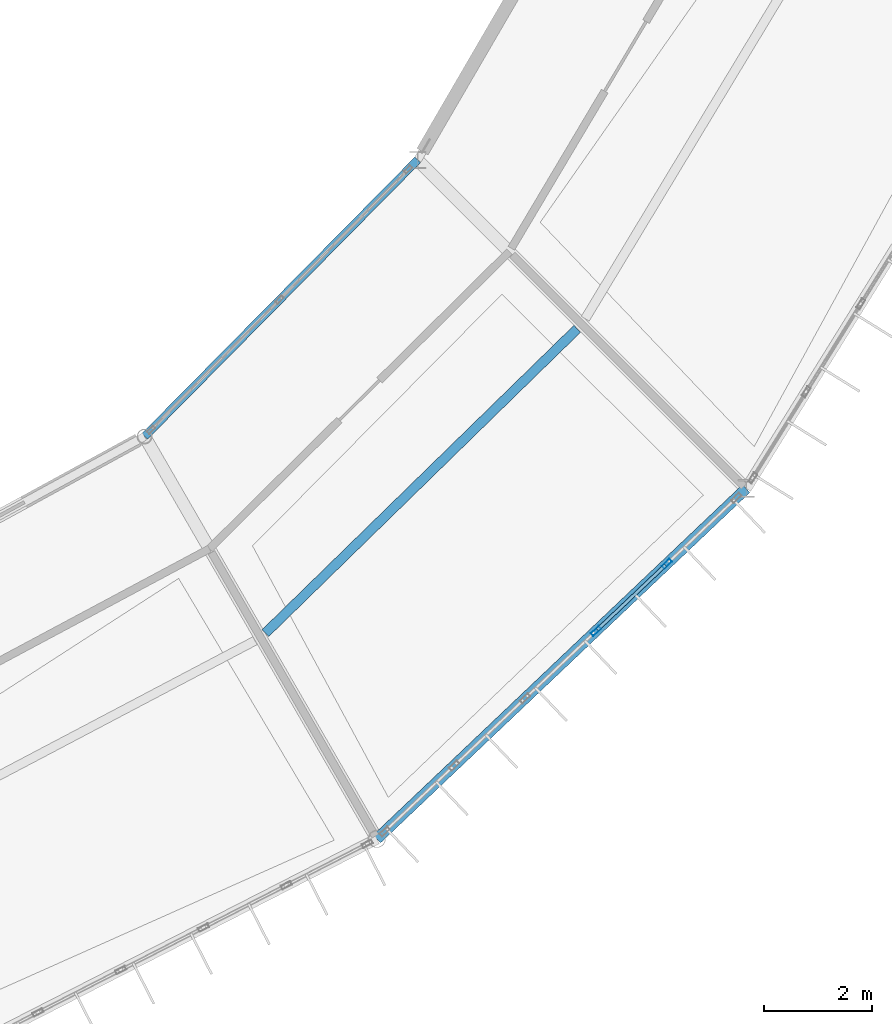
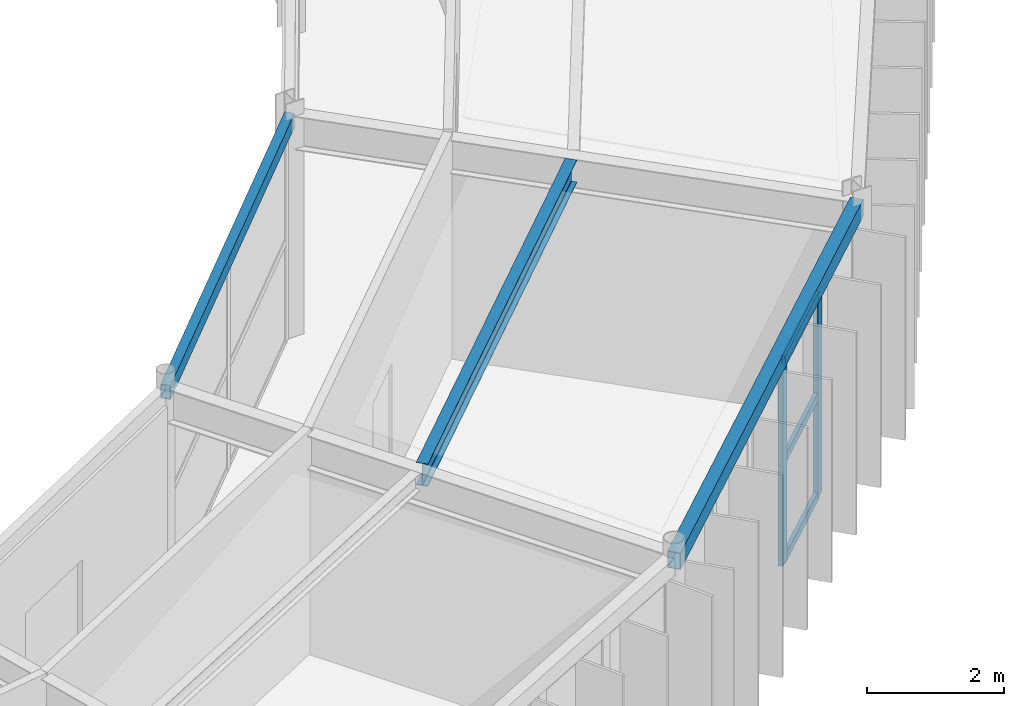
# One storey, part 51 of 147: 5 members, 3 beams, 1 element without a shape of its own.
"""IFC4 building model written with IfcOpenShell, lengths in metres."""

from ifc_helpers import new_model, si_unit, direction, frame, origin, origin_2d, place, context, subcontext, project, spatial, hollow_rectangle, i_section, extrude, material, material_profile, profile_set, type_object, element, aggregate, save


model = new_model("IFC4")

# Units and contexts
model_context = context("Model", 3, precision=1e-05, world=origin(), true_north=direction((0.0, 1.0)))
body_context = subcontext(model_context, "Body", "Model", "MODEL_VIEW")
ifc_project = project(units=[si_unit("LENGTHUNIT", "METRE"), si_unit("AREAUNIT", "SQUARE_METRE"), si_unit("VOLUMEUNIT", "CUBIC_METRE"), si_unit("PLANEANGLEUNIT", "RADIAN"), si_unit("MASSUNIT", "GRAM", prefix="KILO")], contexts=[model_context])

# Site, building, storey
site_placement = place(None, origin())
site = spatial("IfcSite", under=ifc_project, at=site_placement, CompositionType="ELEMENT")
building_placement = place(site_placement, origin())
building = spatial("IfcBuilding", under=site, at=building_placement, Name="Karori Crest Natural Sciences Institute", CompositionType="ELEMENT")
storey_placement = place(building_placement, frame((0.0, 0.0, 9.10009765625)))
storey = spatial("IfcBuildingStorey", under=building, at=storey_placement, Name="L02", CompositionType="ELEMENT", Elevation=9.10009765625)

# Beams
ifc_material_1 = material(Name="Hollow structural steel AS/NZS 1163 Grade C350", Category="steel")
ifc_material_profile_1 = material_profile(ifc_material_1, hollow_rectangle(XDim=0.199951171875, YDim=0.300048828125, WallThickness=0.010009765625, at=origin_2d()), Name="RHS300x200x10")
ifc_profile_set_1 = profile_set([ifc_material_profile_1], Name="Hollow structural steel AS/NZS 1163 Grade C350")
beam_type_1 = type_object("IfcBeamType", Name="BT-15", PredefinedType="SPANDREL", material=ifc_profile_set_1)
beam_1_placement = place(storey_placement, frame((82.89990234375, 14.566162109375, 3.789794921875), z_axis=(0.725481282589, 0.688241896874, 0.0), x_axis=(-0.688241896874, 0.725481282589, 0.0)))
element("IfcBeam", 1, at=beam_1_placement, inside=storey, type_object=beam_type_1, Name="Beam B-0346", PredefinedType="SPANDREL", context=body_context, shape_type="SweptSolid", body=[
    extrude(hollow_rectangle(XDim=0.199951171875, YDim=0.300048828125, WallThickness=0.010009765625, at=origin_2d()), origin(), (0.0, 0.0, 1.0), 9.4208984375),
])
ifc_material_profile_2 = material_profile(ifc_material_1, hollow_rectangle(XDim=0.14990234375, YDim=0.25, WallThickness=0.009033203125, at=origin_2d()), Name="RHS250x150x9")
ifc_profile_set_2 = profile_set([ifc_material_profile_2], Name="Hollow structural steel AS/NZS 1163 Grade C350")
beam_type_2 = type_object("IfcBeamType", Name="BT-16", PredefinedType="SPANDREL", material=ifc_profile_set_2)
beam_2_placement = place(storey_placement, frame((78.60009765625, 22.013916015625, 3.789794921875), z_axis=(0.702645672149, 0.711539921164, 0.0), x_axis=(-0.711539921164, 0.702645672149, 0.0)))
element("IfcBeam", 2, at=beam_2_placement, inside=storey, type_object=beam_type_2, Name="Beam B-0347", PredefinedType="SPANDREL", context=body_context, shape_type="SweptSolid", body=[
    extrude(hollow_rectangle(XDim=0.14990234375, YDim=0.25, WallThickness=0.009033203125, at=origin_2d()), origin(), (0.0, 0.0, 1.0), 7.191650390625),
])
ifc_material_2 = material(Name="Structural steel AS/NZS 3679.1 Grade 350", Category="steel")
ifc_material_profile_3 = material_profile(ifc_material_2, i_section(OverallWidth=0.177978515625, OverallDepth=0.403076171875, WebThickness=0.007568359375, FlangeThickness=0.010986328125, FilletRadius=0.010986328125, at=origin_2d()), Name="410UB53.7")
ifc_profile_set_3 = profile_set([ifc_material_profile_3], Name="Structural steel AS/NZS 3679.1 Grade 350")
beam_type_3 = type_object("IfcBeamType", Name="BT-29", PredefinedType="BEAM", material=ifc_profile_set_3)
beam_3_placement = place(storey_placement, frame((80.8359375, 18.373779296875, 3.73828125), z_axis=(0.715681193625, 0.698427110794, 0.0), x_axis=(-0.698427110794, 0.715681193625, 0.0)))
element("IfcBeam", 3, at=beam_3_placement, inside=storey, type_object=beam_type_3, Name="Beam B-0349", PredefinedType="BEAM", context=body_context, shape_type="SweptSolid", body=[
    extrude(i_section(OverallWidth=0.177978515625, OverallDepth=0.403076171875, WebThickness=0.007568359375, FlangeThickness=0.010986328125, FilletRadius=0.010986328125, at=origin_2d()), origin(), (0.0, 0.0, 1.0), 8.0654296875),
])

# Curtain wall, members
ifc_material_3 = material(Name="Anodised architectural aluminium 6063-T6", Category="aluminium")
curtain_wall_type = type_object("IfcCurtainWallType", Name="CWT-01", PredefinedType="NOTDEFINED", material=ifc_material_3)
curtain_wall_placement = place(storey_placement, origin())
curtain_wall = element("IfcCurtainWall", 4, at=curtain_wall_placement, inside=storey, type_object=curtain_wall_type, Name="Curtain wall CW-0094", PredefinedType="NOTDEFINED")
ifc_material_profile_4 = material_profile(ifc_material_3, hollow_rectangle(XDim=0.074951171875, YDim=0.199951171875, WallThickness=0.0048828125, at=origin_2d()), Name="CWM200x75x5")
ifc_profile_set_4 = profile_set([ifc_material_profile_4], Name="Anodised architectural aluminium 6063-T6")
member_type_1 = type_object("IfcMemberType", Name="CWM-02", PredefinedType="MULLION", material=ifc_profile_set_4)
member_1_placement = place(storey_placement, frame((88.267578125, 19.658447265625, 0.0), z_axis=(0.0, 0.0, 1.0), x_axis=(0.688250886925, -0.725472753897, 0.0)))
member_1 = element("IfcMember", 5, at=member_1_placement, type_object=member_type_1, Name="CW-0094 mullion 2", PredefinedType="MULLION", context=body_context, shape_type="SweptSolid", body=[
    extrude(hollow_rectangle(XDim=0.074951171875, YDim=0.199951171875, WallThickness=0.0048828125, at=origin_2d()), origin(), (0.0, 0.0, 1.0), 3.625),
])
member_2_placement = place(storey_placement, frame((86.954833984375, 18.412841796875, 0.0), z_axis=(0.0, 0.0, 1.0), x_axis=(0.688250886925, -0.725472753897, 0.0)))
member_2 = element("IfcMember", 6, at=member_2_placement, type_object=member_type_1, Name="CW-0094 mullion 3", PredefinedType="MULLION", context=body_context, shape_type="SweptSolid", body=[
    extrude(hollow_rectangle(XDim=0.074951171875, YDim=0.199951171875, WallThickness=0.0048828125, at=origin_2d()), origin(), (0.0, 0.0, 1.0), 3.625),
])
ifc_material_profile_5 = material_profile(ifc_material_3, hollow_rectangle(XDim=0.06494140625, YDim=0.14990234375, WallThickness=0.00390625, at=origin_2d()), Name="CWT150x65x4")
ifc_profile_set_5 = profile_set([ifc_material_profile_5], Name="Anodised architectural aluminium 6063-T6")
member_type_2 = type_object("IfcMemberType", Name="CWT-TR2", PredefinedType="USERDEFINED", material=ifc_profile_set_5)
member_3_placement = place(storey_placement, frame((88.240478515625, 19.632568359375, 0.032470703125), z_axis=(-0.725508743125, -0.688212949347, 0.0), x_axis=(0.688212949347, -0.725508743125, 0.0)))
member_3 = element("IfcMember", 7, at=member_3_placement, type_object=member_type_2, Name="CW-0094 transom 2.1", ObjectType="TRANSOM", PredefinedType="USERDEFINED", context=body_context, shape_type="SweptSolid", body=[
    extrude(hollow_rectangle(XDim=0.06494140625, YDim=0.14990234375, WallThickness=0.00390625, at=origin_2d()), origin(), (0.0, 0.0, 1.0), 1.734619140625),
])
member_4_placement = place(storey_placement, frame((88.240478515625, 19.632568359375, 1.8125), z_axis=(-0.725508743125, -0.688212949347, 0.0), x_axis=(0.688212949347, -0.725508743125, 0.0)))
member_4 = element("IfcMember", 8, at=member_4_placement, type_object=member_type_2, Name="CW-0094 transom 2.2", ObjectType="TRANSOM", PredefinedType="USERDEFINED", context=body_context, shape_type="SweptSolid", body=[
    extrude(hollow_rectangle(XDim=0.06494140625, YDim=0.14990234375, WallThickness=0.00390625, at=origin_2d()), origin(), (0.0, 0.0, 1.0), 1.734619140625),
])
member_5_placement = place(storey_placement, frame((88.240478515625, 19.632568359375, 3.59228515625), z_axis=(-0.725508743125, -0.688212949347, 0.0), x_axis=(0.688212949347, -0.725508743125, 0.0)))
member_5 = element("IfcMember", 9, at=member_5_placement, type_object=member_type_2, Name="CW-0094 transom 2.3", ObjectType="TRANSOM", PredefinedType="USERDEFINED", context=body_context, shape_type="SweptSolid", body=[
    extrude(hollow_rectangle(XDim=0.06494140625, YDim=0.14990234375, WallThickness=0.00390625, at=origin_2d()), origin(), (0.0, 0.0, 1.0), 1.734619140625),
])
aggregate(curtain_wall, [member_1, member_2, member_3, member_4, member_5])

save(model, "model.ifc")
